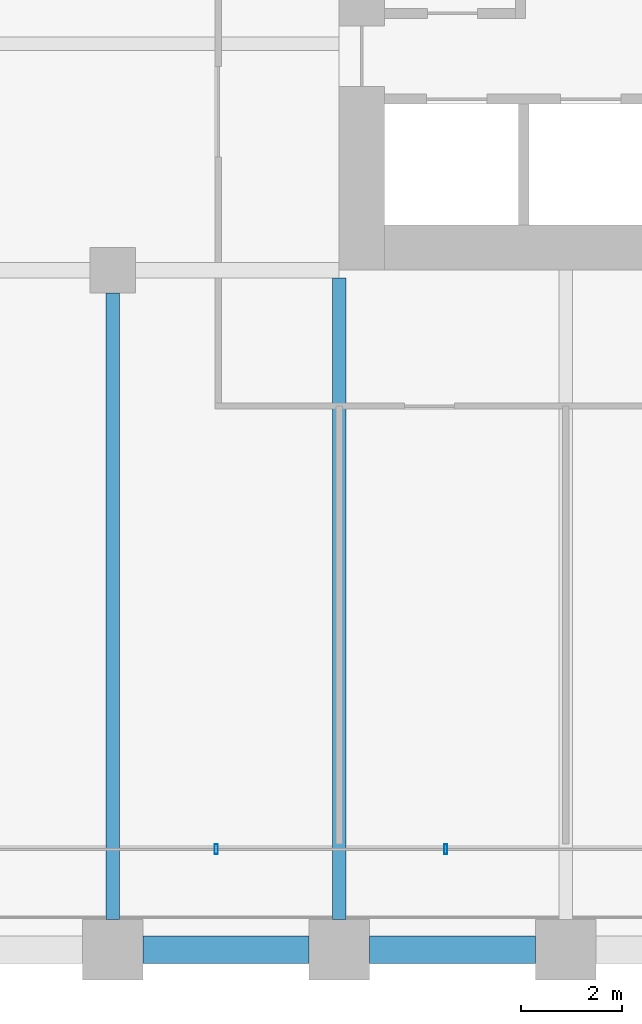
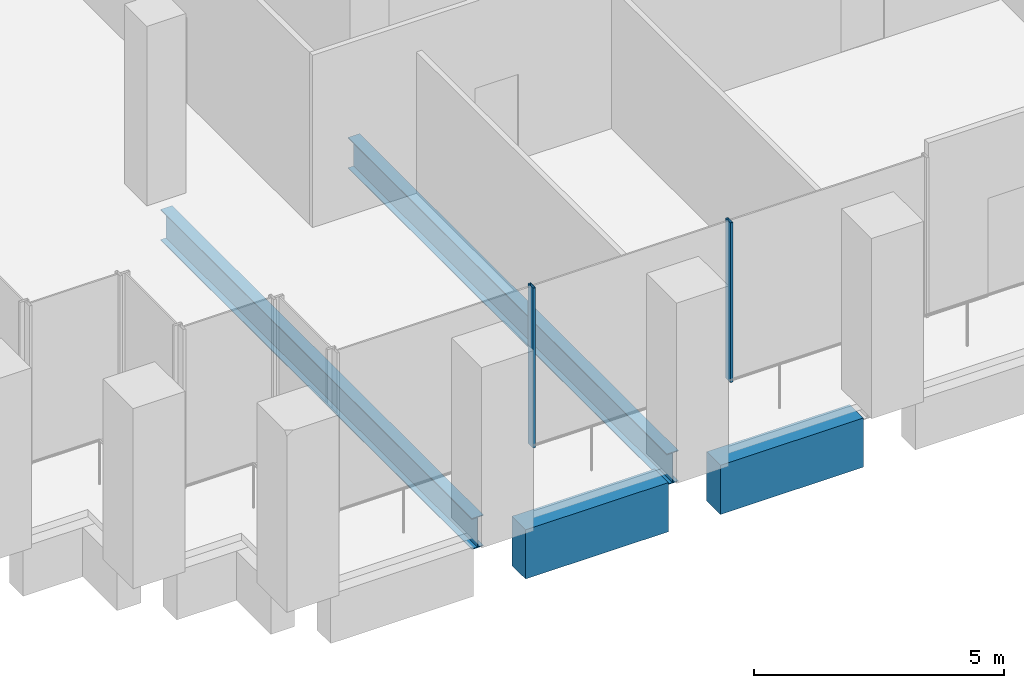
# One storey, part 3 of 36: 4 beams, 2 members, 1 element without a shape of its own.
"""IFC4 building model written with IfcOpenShell, lengths in metres."""

import ifcopenshell
import ifcopenshell.guid

model = None  # the IFC model being written
_history = None  # IfcOwnerHistory: only IFC2X3 demands one
_inside = {}  # id of a spatial element -> (the spatial element, [elements in it])
_under = {}  # id of a project, library or spatial element -> (it, [spatial elements below it])
_declared = {}  # id of a project -> (the project, [libraries it declares])
_typed = {}  # id of a type object -> (the type object, [elements of that type])
_made_of = {}  # id of a material, layer set ... -> (it, [elements and type objects made of it])


def new_model(schema):
    """Start an empty IFC model of exactly this schema.

    Asked for "IFC4X3", IfcOpenShell would pick the latest addendum, in which some entities
    have other attributes; the version numbers below select the first issue.
    IFC2X3 requires an IfcOwnerHistory on every rooted entity: one is made here for all.
    """
    global model, _history
    if schema == "IFC4X3":
        model = ifcopenshell.file(schema_version=(4, 3, 0, 0))
    else:
        model = ifcopenshell.file(schema=schema)
    _inside.clear()
    _under.clear()
    _declared.clear()
    _typed.clear()
    _made_of.clear()
    _history = None
    if model.schema == "IFC2X3":
        org = make("IfcOrganization", Name="unknown")
        user = make(
            "IfcPersonAndOrganization",
            ThePerson=make("IfcPerson", FamilyName="unknown"),
            TheOrganization=org,
        )
        app = make(
            "IfcApplication",
            ApplicationDeveloper=org,
            Version="unknown",
            ApplicationFullName="unknown",
            ApplicationIdentifier="unknown",
        )
        _history = make(
            "IfcOwnerHistory",
            OwningUser=user,
            OwningApplication=app,
            ChangeAction="ADDED",
            CreationDate=0,
        )
    return model


def make(cls, **values):
    """One entity of the class cls with the attributes given. An attribute that is None is left unset."""
    return model.create_entity(
        cls, **{name: value for name, value in values.items() if value is not None}
    )


def rooted(cls, **values):
    """An entity with a GlobalId (a new one), such as an element, a storey or a relation."""
    return make(cls, GlobalId=ifcopenshell.guid.new(), OwnerHistory=_history, **values)


def si_unit(unit_type, name, prefix=None):
    """IfcSIUnit, for example si_unit("LENGTHUNIT", "METRE", prefix="MILLI")."""
    return make("IfcSIUnit", UnitType=unit_type, Prefix=prefix, Name=name)


def assignment(units):
    """IfcUnitAssignment: the units of a project."""
    return None if units is None else make("IfcUnitAssignment", Units=units)


def point(xyz):
    """IfcCartesianPoint."""
    return None if xyz is None else make("IfcCartesianPoint", Coordinates=xyz)


def direction(xyz):
    """IfcDirection."""
    return None if xyz is None else make("IfcDirection", DirectionRatios=xyz)


def frame(location, z_axis=None, x_axis=None):
    """IfcAxis2Placement3D, a coordinate frame: its origin and axes. An axis left out is left unset."""
    return make(
        "IfcAxis2Placement3D",
        Location=point(location),
        Axis=direction(z_axis),
        RefDirection=direction(x_axis),
    )


def frame_2d(location, x_axis=None):
    """IfcAxis2Placement2D, a coordinate frame in the plane: its origin and x axis."""
    return make(
        "IfcAxis2Placement2D", Location=point(location), RefDirection=direction(x_axis)
    )


def origin():
    """The frame at (0, 0, 0) with its axes left unset."""
    return frame((0.0, 0.0, 0.0))


def origin_2d():
    """The frame at (0, 0) in the plane with its x axis left unset."""
    return frame_2d((0.0, 0.0))


def place(relative_to, where):
    """IfcLocalPlacement: puts the frame where relative to a parent placement (None: the world)."""
    return make(
        "IfcLocalPlacement", PlacementRelTo=relative_to, RelativePlacement=where
    )


def context(
    kind, dimensions, precision=None, world=None, true_north=None, identifier=None
):
    """IfcGeometricRepresentationContext, for example the 3D "Model" context."""
    return make(
        "IfcGeometricRepresentationContext",
        ContextIdentifier=identifier,
        ContextType=kind,
        CoordinateSpaceDimension=dimensions,
        Precision=precision,
        WorldCoordinateSystem=world,
        TrueNorth=true_north,
    )


def subcontext(parent, identifier, kind, view, scale=None):
    """IfcGeometricRepresentationSubContext, for example "Body" below "Model"."""
    return make(
        "IfcGeometricRepresentationSubContext",
        ContextIdentifier=identifier,
        ContextType=kind,
        ParentContext=parent,
        TargetScale=scale,
        TargetView=view,
    )


def project(units=None, contexts=None):
    """IfcProject with its units and contexts."""
    return rooted(
        "IfcProject",
        Name="project",
        RepresentationContexts=contexts,
        UnitsInContext=assignment(units),
    )


def spatial(cls, under=None, at=None, **own):
    """A site, building, storey or space (cls), placed at a placement, below another one or the project."""
    s = rooted(cls, ObjectPlacement=at, **own)
    if under is not None:
        _under.setdefault(under.id(), (under, []))[1].append(s)
    return s


def profile(cls, at=None, kind="AREA", **sizes):
    """A parametric profile (cls). Its sizes go by their IFC names, for example OverallWidth=200.0."""
    return make(cls, ProfileType=kind, Position=at, **sizes)


def rectangle(**sizes):
    """IfcRectangleProfileDef."""
    return profile("IfcRectangleProfileDef", **sizes)


def hollow_rectangle(**sizes):
    """IfcRectangleHollowProfileDef."""
    return profile("IfcRectangleHollowProfileDef", **sizes)


def i_section(**sizes):
    """IfcIShapeProfileDef."""
    return profile("IfcIShapeProfileDef", **sizes)


def extrude(swept, where, along, depth):
    """IfcExtrudedAreaSolid: the profile swept, set in the frame where, extruded along a direction by depth."""
    return make(
        "IfcExtrudedAreaSolid",
        SweptArea=swept,
        Position=where,
        ExtrudedDirection=direction(along),
        Depth=depth,
    )


def shape(context_of_items, identifier, shape_type, items):
    """IfcShapeRepresentation: the items that make up one representation, for example the "Body"."""
    return make(
        "IfcShapeRepresentation",
        ContextOfItems=context_of_items,
        RepresentationIdentifier=identifier,
        RepresentationType=shape_type,
        Items=items,
    )


def material(Name=None, Category=None):
    """IfcMaterial."""
    return make("IfcMaterial", Name=Name, Category=Category)


def material_profile(
    of_material, cross_section, Name=None, Category=None, Priority=None
):
    """IfcMaterialProfile: a cross section and its material."""
    return make(
        "IfcMaterialProfile",
        Name=Name,
        Material=of_material,
        Profile=cross_section,
        Priority=Priority,
        Category=Category,
    )


def profile_set(profiles, Name=None, composite=None):
    """IfcMaterialProfileSet."""
    return make(
        "IfcMaterialProfileSet",
        Name=Name,
        MaterialProfiles=profiles,
        CompositeProfile=composite,
    )


def made_of(thing, what):
    """Note that an element or type object is made of a material, layer set ...; save() writes the relation."""
    if what is not None:
        _made_of.setdefault(what.id(), (what, []))[1].append(thing)
    return thing


def type_object(cls, material=None, **own):
    """A type object (cls), such as IfcWallType, which elements share."""
    return made_of(rooted(cls, **own), material)


def element(
    cls,
    number,
    at=None,
    inside=None,
    cuts=None,
    type_object=None,
    material=None,
    context=None,
    identifier="Body",
    shape_type=None,
    held_by="IfcProductDefinitionShape",
    body=None,
    shapes=None,
    **own,
):
    """One element of the class cls, such as IfcWall. Its Tag is "e" and its number.

    at: its placement. inside: the storey or other place that contains it. cuts: it is an
    opening in that element (IfcRelVoidsElement). A single representation is given by context,
    identifier, shape_type and body (its items); several are given by shapes. held_by: the class
    of the entity that holds the representations. save() writes the other relations.
    """
    e = rooted(cls, Tag="e%d" % number, ObjectPlacement=at, **own)
    if body is not None:
        shapes = [shape(context, identifier, shape_type, body)]
    if shapes is not None:
        e.Representation = make(held_by, Representations=shapes)
    if inside is not None:
        _inside.setdefault(inside.id(), (inside, []))[1].append(e)
    if cuts is not None:
        rooted(
            "IfcRelVoidsElement", RelatingBuildingElement=cuts, RelatedOpeningElement=e
        )
    if type_object is not None:
        _typed.setdefault(type_object.id(), (type_object, []))[1].append(e)
    return made_of(e, material)


def aggregate(whole, parts):
    """IfcRelAggregates: a whole, such as a stair, and the parts it consists of."""
    return rooted("IfcRelAggregates", RelatingObject=whole, RelatedObjects=parts)


def save(model, path):
    """Write the relations noted so far, then the file.

    IfcRelAggregates (storeys below a building ...), IfcRelContainedInSpatialStructure (elements
    in a storey), IfcRelDefinesByType, IfcRelAssociatesMaterial and IfcRelDeclares: one each for
    every whole, place, type object, material and project.
    """
    for whole, parts in _under.values():
        aggregate(whole, parts)
    for where, things in _inside.values():
        rooted(
            "IfcRelContainedInSpatialStructure",
            RelatedElements=things,
            RelatingStructure=where,
        )
    for kind, things in _typed.values():
        rooted("IfcRelDefinesByType", RelatedObjects=things, RelatingType=kind)
    for what, things in _made_of.values():
        rooted("IfcRelAssociatesMaterial", RelatedObjects=things, RelatingMaterial=what)
    for by, libraries in _declared.values():
        rooted("IfcRelDeclares", RelatingContext=by, RelatedDefinitions=libraries)
    model.write(path)


model = new_model("IFC4")

# Units and contexts
model_context = context("Model", 3, precision=1e-05, world=origin(), true_north=direction((0.0, 1.0)))
body_context = subcontext(model_context, "Body", "Model", "MODEL_VIEW")
ifc_project = project(units=[si_unit("LENGTHUNIT", "METRE"), si_unit("AREAUNIT", "SQUARE_METRE"), si_unit("VOLUMEUNIT", "CUBIC_METRE"), si_unit("PLANEANGLEUNIT", "RADIAN"), si_unit("MASSUNIT", "GRAM", prefix="KILO")], contexts=[model_context])

# Site, building, storey
site_placement = place(None, origin())
site = spatial("IfcSite", under=ifc_project, at=site_placement, CompositionType="ELEMENT")
building_placement = place(site_placement, origin())
building = spatial("IfcBuilding", under=site, at=building_placement, Name="Altepetl Exchange Towers", CompositionType="ELEMENT")
storey_placement = place(building_placement, frame((0.0, 0.0, 34.199951171875)))
storey = spatial("IfcBuildingStorey", under=building, at=storey_placement, Name="L07", CompositionType="ELEMENT", Elevation=34.199951171875)

# Beams
ifc_material_1 = material(Name="Steel S355", Category="steel")
ifc_material_profile_1 = material_profile(ifc_material_1, i_section(OverallWidth=0.26611328125, OverallDepth=0.758056640625, WebThickness=0.013916015625, FlangeThickness=0.019287109375, at=origin_2d()), Name="W30X108")
ifc_profile_set_1 = profile_set([ifc_material_profile_1], Name="Steel S355")
beam_type_1 = type_object("IfcBeamType", Name="Floor beam W30X108", PredefinedType="BEAM", material=ifc_profile_set_1)
beam_1_placement = place(storey_placement, frame((36.0, 27.60009765625, -0.553955078125), z_axis=(0.0, 1.0, 0.0), x_axis=(-1.0, 0.0, 0.0)))
element("IfcBeam", 1, at=beam_1_placement, inside=storey, type_object=beam_type_1, Name="bm:A:L07:013", PredefinedType="BEAM", context=body_context, shape_type="SweptSolid", body=[
    extrude(i_section(OverallWidth=0.26611328125, OverallDepth=0.758056640625, WebThickness=0.013916015625, FlangeThickness=0.019287109375, at=origin_2d()), origin(), (0.0, 0.0, 1.0), 12.449951171875),
])
beam_2_placement = place(storey_placement, frame((40.5, 27.60009765625, -0.553955078125), z_axis=(0.0, 1.0, 0.0), x_axis=(-1.0, 0.0, 0.0)))
element("IfcBeam", 2, at=beam_2_placement, inside=storey, type_object=beam_type_1, Name="bm:A:L07:014", PredefinedType="BEAM", context=body_context, shape_type="SweptSolid", body=[
    extrude(i_section(OverallWidth=0.26611328125, OverallDepth=0.758056640625, WebThickness=0.013916015625, FlangeThickness=0.019287109375, at=origin_2d()), origin(), (0.0, 0.0, 1.0), 12.745849609375),
])

# Curtain wall, members
ifc_material_2 = material(Name="Aluminium 6063-T6 glazing", Category="aluminium")
curtain_wall_type = type_object("IfcCurtainWallType", Name="Trading floor glazing system", PredefinedType="NOTDEFINED", material=ifc_material_2)
curtain_wall_placement = place(storey_placement, origin())
curtain_wall = element("IfcCurtainWall", 3, at=curtain_wall_placement, inside=storey, type_object=curtain_wall_type, Name="CW2 run", PredefinedType="NOTDEFINED")
ifc_material_3 = material(Name="Aluminium 6063-T6", Category="aluminium")
ifc_material_profile_2 = material_profile(ifc_material_3, hollow_rectangle(XDim=0.06005859375, YDim=0.199951171875, WallThickness=0.0029296875, at=origin_2d()), Name="Mullion 60x200 aluminium")
ifc_profile_set_2 = profile_set([ifc_material_profile_2], Name="Aluminium 6063-T6")
member_type = type_object("IfcMemberType", Name="Mullion 60x200 aluminium", PredefinedType="MULLION", material=ifc_profile_set_2)
member_1_placement = place(storey_placement, frame((38.05712890625, 29.0, 0.0)))
member_1 = element("IfcMember", 4, at=member_1_placement, type_object=member_type, Name="MU2 mullion", PredefinedType="MULLION", context=body_context, shape_type="SweptSolid", body=[
    extrude(hollow_rectangle(XDim=0.06005859375, YDim=0.199951171875, WallThickness=0.0029296875, at=origin_2d()), origin(), (0.0, 0.0, 1.0), 3.900146484375),
])
member_2_placement = place(storey_placement, frame((42.6142578125, 29.0, 0.0)))
member_2 = element("IfcMember", 5, at=member_2_placement, type_object=member_type, Name="MU2 mullion", PredefinedType="MULLION", context=body_context, shape_type="SweptSolid", body=[
    extrude(hollow_rectangle(XDim=0.06005859375, YDim=0.199951171875, WallThickness=0.0029296875, at=origin_2d()), origin(), (0.0, 0.0, 1.0), 3.900146484375),
])
aggregate(curtain_wall, [member_1, member_2])

# Beams
ifc_material_4 = material(Name="Concrete C50/60 precast with cantera blanca facing", Category="concrete")
ifc_material_profile_3 = material_profile(ifc_material_4, rectangle(XDim=0.550048828125, YDim=1.199951171875, at=origin_2d()), Name="550 x 1200")
ifc_profile_set_3 = profile_set([ifc_material_profile_3], Name="Concrete C50/60 precast with cantera blanca facing")
beam_type_2 = type_object("IfcBeamType", Name="Spandrel beam 550x1200 cantera blanca", PredefinedType="SPANDREL", material=ifc_profile_set_3)
for number, where, z_axis, x_axis, name in (
    (6, (36.60009765625, 27.0, -0.77490234375), (1.0, 0.0, 0.0), (0.0, 1.0, 0.0), "sp:A:L07:001"),
    (7, (41.10009765625, 27.0, -0.77490234375), (1.0, 0.0, 0.0), (0.0, 1.0, 0.0), "sp:A:L07:002"),
):
    element("IfcBeam", number, at=place(storey_placement, frame(where, z_axis=z_axis, x_axis=x_axis)), inside=storey, type_object=beam_type_2, Name=name, PredefinedType="SPANDREL", context=body_context, shape_type="SweptSolid", body=[
        extrude(rectangle(XDim=0.550048828125, YDim=1.199951171875, at=origin_2d()), origin(), (0.0, 0.0, 1.0), 3.2998046875),
    ])

save(model, "model.ifc")
